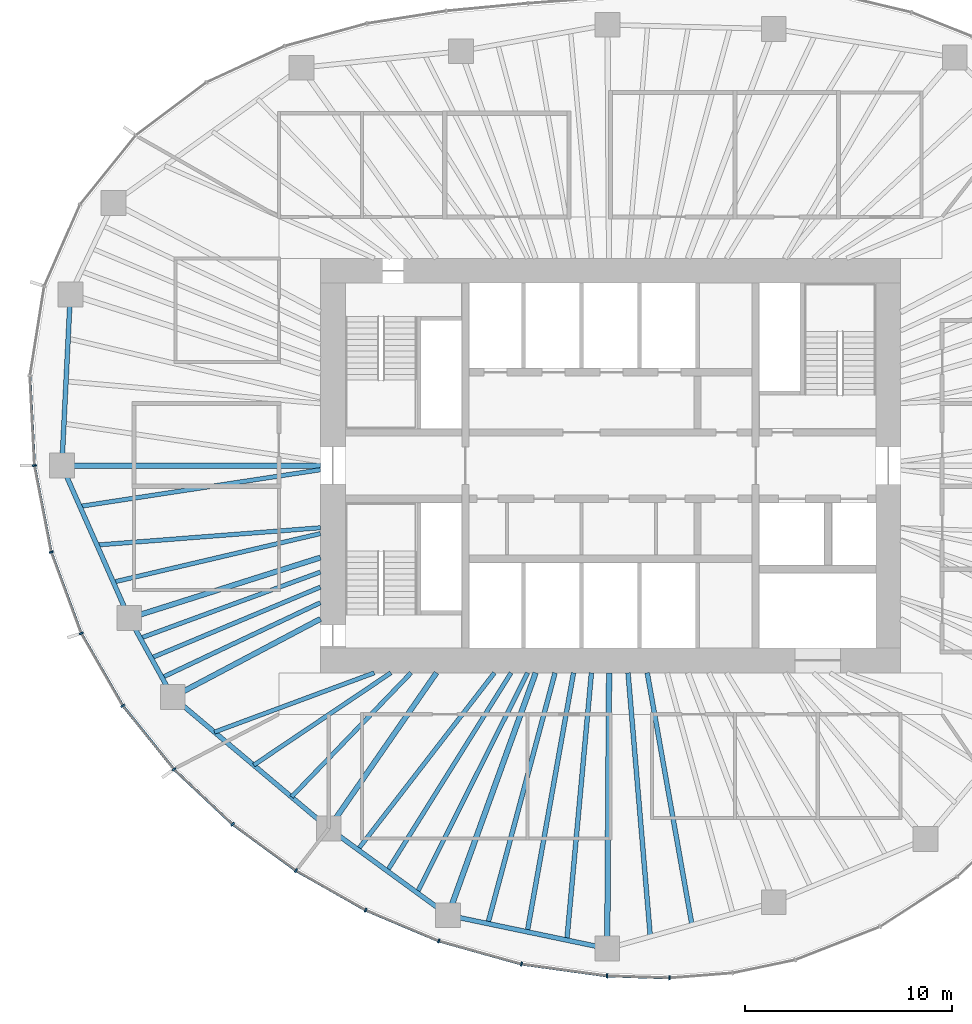
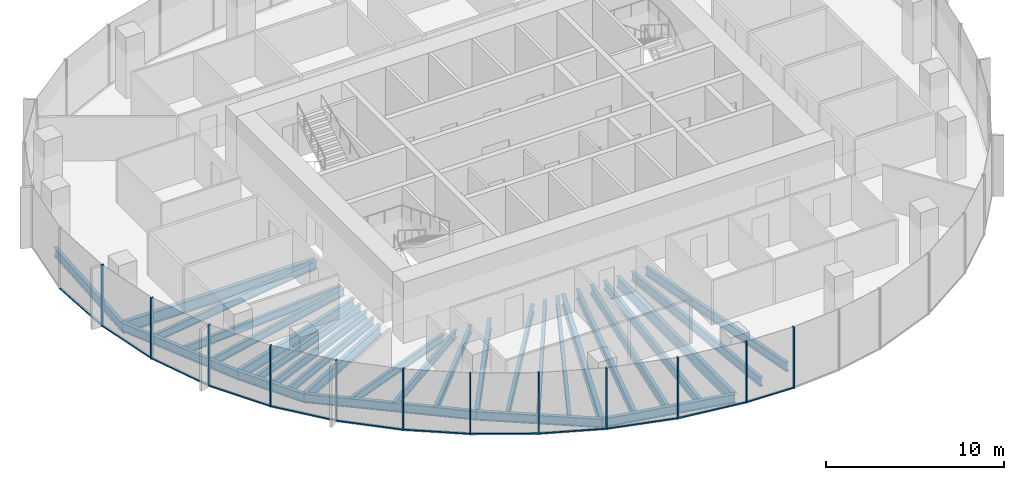
# One storey, part 2 of 12: 29 beams, 24 members, 7 elements without a shape of their own.
"""IFC4 building model written with IfcOpenShell, lengths in metres."""

from ifc_helpers import new_model, si_unit, direction, frame, origin, origin_2d, place, context, subcontext, project, spatial, rectangle, i_section, extrude, material, material_profile, profile_set, type_object, element, aggregate, save


model = new_model("IFC4")

# Units and contexts
model_context = context("Model", 3, precision=1e-05, world=origin(), true_north=direction((0.0, 1.0)))
body_context = subcontext(model_context, "Body", "Model", "MODEL_VIEW")
ifc_project = project(units=[si_unit("LENGTHUNIT", "METRE"), si_unit("AREAUNIT", "SQUARE_METRE"), si_unit("VOLUMEUNIT", "CUBIC_METRE"), si_unit("PLANEANGLEUNIT", "RADIAN"), si_unit("MASSUNIT", "GRAM", prefix="KILO")], contexts=[model_context])

# Site, building, storey
site_placement = place(None, origin())
site = spatial("IfcSite", under=ifc_project, at=site_placement, CompositionType="ELEMENT")
building_placement = place(site_placement, origin())
building = spatial("IfcBuilding", under=site, at=building_placement, Name="Ghaith Harvest Tower", CompositionType="ELEMENT")
storey_placement = place(building_placement, frame((0.0, 0.0, 232.60009765625)))
storey = spatial("IfcBuildingStorey", under=building, at=storey_placement, Name="L51", CompositionType="ELEMENT", Elevation=232.60009765625)

# Curtain wall, members
ifc_material_1 = material(Name="Black anodised aluminium and fritted glass", Category="aluminium")
curtain_wall_type = type_object("IfcCurtainWallType", Name="CW-H CURTAIN WALL", PredefinedType="NOTDEFINED", material=ifc_material_1)
curtain_wall_1_placement = place(storey_placement, origin())
curtain_wall_1 = element("IfcCurtainWall", 1, at=curtain_wall_1_placement, inside=storey, type_object=curtain_wall_type, Name="Curtain wall CW-H bay 11 L51", PredefinedType="NOTDEFINED")
ifc_material_2 = material(Name="Aluminium, black anodised", Category="aluminium")
ifc_material_profile_1 = material_profile(ifc_material_2, rectangle(XDim=0.080078125, YDim=0.199951171875, at=origin_2d()), Name="CW-H MULLION 80x200")
ifc_profile_set_1 = profile_set([ifc_material_profile_1], Name="Aluminium, black anodised")
member_type_1 = type_object("IfcMemberType", Name="CW-H MULLION 80x200", PredefinedType="MULLION", material=ifc_profile_set_1)
member_1_placement = place(storey_placement, frame((-27.794921875, 0.0, 0.0), z_axis=(0.0, 0.0, 1.0), x_axis=(0.12024996575, -0.992743645528, 0.0)))
member_1 = element("IfcMember", 2, at=member_1_placement, type_object=member_type_1, Name="CW-H mullion 1 bay 11 L51", PredefinedType="MULLION", context=body_context, shape_type="SweptSolid", body=[
    extrude(rectangle(XDim=0.080078125, YDim=0.199951171875, at=origin_2d()), origin(), (0.0, 0.0, 1.0), 4.199951171875),
])
member_2_placement = place(storey_placement, frame((-26.9853515625, -4.173828125, 0.0), z_axis=(0.0, 0.0, 1.0), x_axis=(0.268568830903, -0.963260495955, 0.0)))
member_2 = element("IfcMember", 3, at=member_2_placement, type_object=member_type_1, Name="CW-H mullion 2 bay 11 L51", PredefinedType="MULLION", context=body_context, shape_type="SweptSolid", body=[
    extrude(rectangle(XDim=0.080078125, YDim=0.199951171875, at=origin_2d()), origin(), (0.0, 0.0, 1.0), 4.199951171875),
])

curtain_wall_2_placement = place(storey_placement, origin())
curtain_wall_2 = element("IfcCurtainWall", 4, at=curtain_wall_2_placement, inside=storey, type_object=curtain_wall_type, Name="Curtain wall CW-H bay 12 L51", PredefinedType="NOTDEFINED")
member_3_placement = place(storey_placement, frame((-25.538330078125, -8.093505859375, 0.0), z_axis=(0.0, 0.0, 1.0), x_axis=(0.422308650185, -0.906452096903, 0.0)))
member_3 = element("IfcMember", 5, at=member_3_placement, type_object=member_type_1, Name="CW-H mullion 1 bay 12 L51", PredefinedType="MULLION", context=body_context, shape_type="SweptSolid", body=[
    extrude(rectangle(XDim=0.080078125, YDim=0.199951171875, at=origin_2d()), origin(), (0.0, 0.0, 1.0), 4.199951171875),
])
member_4_placement = place(storey_placement, frame((-23.533203125, -11.58349609375, 0.0), z_axis=(0.0, 0.0, 1.0), x_axis=(0.563616546013, -0.826036554312, 0.0)))
member_4 = element("IfcMember", 6, at=member_4_placement, type_object=member_type_1, Name="CW-H mullion 2 bay 12 L51", PredefinedType="MULLION", context=body_context, shape_type="SweptSolid", body=[
    extrude(rectangle(XDim=0.080078125, YDim=0.199951171875, at=origin_2d()), origin(), (0.0, 0.0, 1.0), 4.199951171875),
])

curtain_wall_3_placement = place(storey_placement, origin())
curtain_wall_3 = element("IfcCurtainWall", 7, at=curtain_wall_3_placement, inside=storey, type_object=curtain_wall_type, Name="Curtain wall CW-H bay 13 L51", PredefinedType="NOTDEFINED")
member_5_placement = place(storey_placement, frame((-21.0615234375, -14.65478515625, 0.0), z_axis=(0.0, 0.0, 1.0), x_axis=(0.679181589754, -0.733970277422, 0.0)))
member_5 = element("IfcMember", 8, at=member_5_placement, type_object=member_type_1, Name="CW-H mullion 1 bay 13 L51", PredefinedType="MULLION", context=body_context, shape_type="SweptSolid", body=[
    extrude(rectangle(XDim=0.080078125, YDim=0.199951171875, at=origin_2d()), origin(), (0.0, 0.0, 1.0), 4.199951171875),
])
member_6_placement = place(storey_placement, frame((-18.238037109375, -17.30615234375, 0.0), z_axis=(0.0, 0.0, 1.0), x_axis=(0.769216709506, -0.638987991919, 0.0)))
member_6 = element("IfcMember", 9, at=member_6_placement, type_object=member_type_1, Name="CW-H mullion 2 bay 13 L51", PredefinedType="MULLION", context=body_context, shape_type="SweptSolid", body=[
    extrude(rectangle(XDim=0.080078125, YDim=0.199951171875, at=origin_2d()), origin(), (0.0, 0.0, 1.0), 4.199951171875),
])

curtain_wall_4_placement = place(storey_placement, origin())
curtain_wall_4 = element("IfcCurtainWall", 10, at=curtain_wall_4_placement, inside=storey, type_object=curtain_wall_type, Name="Curtain wall CW-H bay 14 L51", PredefinedType="NOTDEFINED")
member_7_placement = place(storey_placement, frame((-15.177490234375, -19.542724609375, 0.0), z_axis=(0.0, 0.0, 1.0), x_axis=(0.840233591157, -0.5422245958, 0.0)))
member_7 = element("IfcMember", 11, at=member_7_placement, type_object=member_type_1, Name="CW-H mullion 1 bay 14 L51", PredefinedType="MULLION", context=body_context, shape_type="SweptSolid", body=[
    extrude(rectangle(XDim=0.080078125, YDim=0.199951171875, at=origin_2d()), origin(), (0.0, 0.0, 1.0), 4.199951171875),
])
member_8_placement = place(storey_placement, frame((-11.815185546875, -21.45068359375, 0.0), z_axis=(0.0, 0.0, 1.0), x_axis=(0.896852966189, -0.442328788389, 0.0)))
member_8 = element("IfcMember", 12, at=member_8_placement, type_object=member_type_1, Name="CW-H mullion 2 bay 14 L51", PredefinedType="MULLION", context=body_context, shape_type="SweptSolid", body=[
    extrude(rectangle(XDim=0.080078125, YDim=0.199951171875, at=origin_2d()), origin(), (0.0, 0.0, 1.0), 4.199951171875),
])

curtain_wall_5_placement = place(storey_placement, origin())
curtain_wall_5 = element("IfcCurtainWall", 13, at=curtain_wall_5_placement, inside=storey, type_object=curtain_wall_type, Name="Curtain wall CW-H bay 15 L51", PredefinedType="NOTDEFINED")
member_9_placement = place(storey_placement, frame((-8.285888671875, -22.941650390625, 0.0), z_axis=(0.0, 0.0, 1.0), x_axis=(0.944906041636, -0.327341675439, 0.0)))
member_9 = element("IfcMember", 14, at=member_9_placement, type_object=member_type_1, Name="CW-H mullion 1 bay 15 L51", PredefinedType="MULLION", context=body_context, shape_type="SweptSolid", body=[
    extrude(rectangle(XDim=0.080078125, YDim=0.199951171875, at=origin_2d()), origin(), (0.0, 0.0, 1.0), 4.199951171875),
])
member_10_placement = place(storey_placement, frame((-4.2958984375, -24.0556640625, 0.0), z_axis=(0.0, 0.0, 1.0), x_axis=(0.979161388311, -0.203083666601, 0.0)))
member_10 = element("IfcMember", 15, at=member_10_placement, type_object=member_type_1, Name="CW-H mullion 2 bay 15 L51", PredefinedType="MULLION", context=body_context, shape_type="SweptSolid", body=[
    extrude(rectangle(XDim=0.080078125, YDim=0.199951171875, at=origin_2d()), origin(), (0.0, 0.0, 1.0), 4.199951171875),
])

curtain_wall_6_placement = place(storey_placement, origin())
curtain_wall_6 = element("IfcCurtainWall", 16, at=curtain_wall_6_placement, inside=storey, type_object=curtain_wall_type, Name="Curtain wall CW-H bay 16 L51", PredefinedType="NOTDEFINED")
member_11_placement = place(storey_placement, frame((-0.16845703125, -24.625244140625, 0.0), z_axis=(0.0, 0.0, 1.0), x_axis=(0.99568459113, -0.092801912617, 0.0)))
member_11 = element("IfcMember", 17, at=member_11_placement, type_object=member_type_1, Name="CW-H mullion 1 bay 16 L51", PredefinedType="MULLION", context=body_context, shape_type="SweptSolid", body=[
    extrude(rectangle(XDim=0.080078125, YDim=0.199951171875, at=origin_2d()), origin(), (0.0, 0.0, 1.0), 4.199951171875),
])
member_12_placement = place(storey_placement, frame((2.84765625, -24.721435546875, 0.0), z_axis=(0.0, 0.0, 1.0), x_axis=(0.999724413906, 0.02347543907, 0.0)))
member_12 = element("IfcMember", 18, at=member_12_placement, type_object=member_type_1, Name="CW-H mullion 2 bay 16 L51", PredefinedType="MULLION", context=body_context, shape_type="SweptSolid", body=[
    extrude(rectangle(XDim=0.080078125, YDim=0.199951171875, at=origin_2d()), origin(), (0.0, 0.0, 1.0), 4.199951171875),
])

# Curtain wall, member
curtain_wall_7_placement = place(storey_placement, origin())
curtain_wall_7 = element("IfcCurtainWall", 19, at=curtain_wall_7_placement, inside=storey, type_object=curtain_wall_type, Name="Curtain wall CW-H bay 10 L51", PredefinedType="NOTDEFINED")
ifc_material_3 = material(Name="Aluminium, black anodised", Category="aluminium")
ifc_material_profile_2 = material_profile(ifc_material_3, rectangle(XDim=0.1298828125, YDim=0.080078125, at=origin_2d()), Name="CW-H TRANSOM 130x80")
ifc_profile_set_2 = profile_set([ifc_material_profile_2], Name="Aluminium, black anodised")
member_type_2 = type_object("IfcMemberType", Name="CW-H TRANSOM 130x80", PredefinedType="USERDEFINED", material=ifc_profile_set_2)
member_13_placement = place(storey_placement, frame((-28.013671875, 4.293212890625, 0.039794921875), z_axis=(0.05084969311, -0.998706317548, 0.0), x_axis=(0.998706317548, 0.05084969311, 0.0)))
member_13 = element("IfcMember", 20, at=member_13_placement, type_object=member_type_2, Name="CW-H transom 2 bay 10 L51", ObjectType="TRANSOM", PredefinedType="USERDEFINED", context=body_context, shape_type="SweptSolid", body=[
    extrude(rectangle(XDim=0.1298828125, YDim=0.080078125, at=origin_2d()), origin(), (0.0, 0.0, 1.0), 4.2587890625),
])
aggregate(curtain_wall_7, [member_13])

# Member
member_14_placement = place(storey_placement, frame((-27.787353515625, -0.039306640625, 0.039794921875), z_axis=(0.190440428338, -0.981698753821, 0.0), x_axis=(0.981698753821, 0.190440428338, 0.0)))
member_14 = element("IfcMember", 21, at=member_14_placement, type_object=member_type_2, Name="CW-H transom 1 bay 11 L51", ObjectType="TRANSOM", PredefinedType="USERDEFINED", context=body_context, shape_type="SweptSolid", body=[
    extrude(rectangle(XDim=0.1298828125, YDim=0.080078125, at=origin_2d()), origin(), (0.0, 0.0, 1.0), 4.171630859375),
])

member_15_placement = place(storey_placement, frame((-26.971435546875, -4.21142578125, 0.039794921875), z_axis=(0.346287782987, -0.93812833416, 0.0), x_axis=(0.93812833416, 0.346287782987, 0.0)))
member_15 = element("IfcMember", 22, at=member_15_placement, type_object=member_type_2, Name="CW-H transom 2 bay 11 L51", ObjectType="TRANSOM", PredefinedType="USERDEFINED", context=body_context, shape_type="SweptSolid", body=[
    extrude(rectangle(XDim=0.1298828125, YDim=0.080078125, at=origin_2d()), origin(), (0.0, 0.0, 1.0), 4.098388671875),
])

aggregate(curtain_wall_1, [member_1, member_14, member_2, member_15])

member_16_placement = place(storey_placement, frame((-25.5185546875, -8.128173828125, 0.039794921875), z_axis=(0.498176929488, -0.86707539864, 0.0), x_axis=(0.86707539864, 0.498176929488, 0.0)))
member_16 = element("IfcMember", 23, at=member_16_placement, type_object=member_type_2, Name="CW-H transom 1 bay 12 L51", ObjectType="TRANSOM", PredefinedType="USERDEFINED", context=body_context, shape_type="SweptSolid", body=[
    extrude(rectangle(XDim=0.1298828125, YDim=0.080078125, at=origin_2d()), origin(), (0.0, 0.0, 1.0), 3.945068359375),
])

member_17_placement = place(storey_placement, frame((-23.508056640625, -11.61474609375, 0.039794921875), z_axis=(0.626958878139, -0.779052350694, 0.0), x_axis=(0.779052350694, 0.626958878139, 0.0)))
member_17 = element("IfcMember", 24, at=member_17_placement, type_object=member_type_2, Name="CW-H transom 2 bay 12 L51", ObjectType="TRANSOM", PredefinedType="USERDEFINED", context=body_context, shape_type="SweptSolid", body=[
    extrude(rectangle(XDim=0.1298828125, YDim=0.080078125, at=origin_2d()), origin(), (0.0, 0.0, 1.0), 3.862060546875),
])

aggregate(curtain_wall_2, [member_3, member_16, member_4, member_17])

member_18_placement = place(storey_placement, frame((-21.032470703125, -14.68212890625, 0.039794921875), z_axis=(0.729025183709, -0.684486874613, 0.0), x_axis=(0.684486874613, 0.729025183709, 0.0)))
member_18 = element("IfcMember", 25, at=member_18_placement, type_object=member_type_2, Name="CW-H transom 1 bay 13 L51", ObjectType="TRANSOM", PredefinedType="USERDEFINED", context=body_context, shape_type="SweptSolid", body=[
    extrude(rectangle(XDim=0.1298828125, YDim=0.080078125, at=origin_2d()), origin(), (0.0, 0.0, 1.0), 3.793212890625),
])

member_19_placement = place(storey_placement, frame((-18.20556640625, -17.32958984375, 0.039794921875), z_axis=(0.807368217185, -0.590047931849, 0.0), x_axis=(0.590047931849, 0.807368217185, 0.0)))
member_19 = element("IfcMember", 26, at=member_19_placement, type_object=member_type_2, Name="CW-H transom 2 bay 13 L51", ObjectType="TRANSOM", PredefinedType="USERDEFINED", context=body_context, shape_type="SweptSolid", body=[
    extrude(rectangle(XDim=0.1298828125, YDim=0.080078125, at=origin_2d()), origin(), (0.0, 0.0, 1.0), 3.710693359375),
])

aggregate(curtain_wall_3, [member_5, member_18, member_6, member_19])

member_20_placement = place(storey_placement, frame((-15.142822265625, -19.5625, 0.039794921875), z_axis=(0.869735291487, -0.493518513068, 0.0), x_axis=(0.493518513068, 0.869735291487, 0.0)))
member_20 = element("IfcMember", 27, at=member_20_placement, type_object=member_type_2, Name="CW-H transom 1 bay 14 L51", ObjectType="TRANSOM", PredefinedType="USERDEFINED", context=body_context, shape_type="SweptSolid", body=[
    extrude(rectangle(XDim=0.1298828125, YDim=0.080078125, at=origin_2d()), origin(), (0.0, 0.0, 1.0), 3.785888671875),
])

member_21_placement = place(storey_placement, frame((-11.7783203125, -21.46630859375, 0.039794921875), z_axis=(0.921182691948, -0.38913037411, 0.0), x_axis=(0.38913037411, 0.921182691948, 0.0)))
member_21 = element("IfcMember", 28, at=member_21_placement, type_object=member_type_2, Name="CW-H transom 2 bay 14 L51", ObjectType="TRANSOM", PredefinedType="USERDEFINED", context=body_context, shape_type="SweptSolid", body=[
    extrude(rectangle(XDim=0.1298828125, YDim=0.080078125, at=origin_2d()), origin(), (0.0, 0.0, 1.0), 3.751220703125),
])

aggregate(curtain_wall_4, [member_7, member_20, member_8, member_21])

member_22_placement = place(storey_placement, frame((-8.24755859375, -22.952392578125, 0.039794921875), z_axis=(0.963164092269, -0.268914356932, 0.0), x_axis=(0.268914356932, 0.963164092269, 0.0)))
member_22 = element("IfcMember", 29, at=member_22_placement, type_object=member_type_2, Name="CW-H transom 1 bay 15 L51", ObjectType="TRANSOM", PredefinedType="USERDEFINED", context=body_context, shape_type="SweptSolid", body=[
    extrude(rectangle(XDim=0.1298828125, YDim=0.080078125, at=origin_2d()), origin(), (0.0, 0.0, 1.0), 4.062744140625),
])

member_23_placement = place(storey_placement, frame((-4.25634765625, -24.06103515625, 0.039794921875), z_axis=(0.990605228149, -0.136752630555, 0.0), x_axis=(0.136752630555, 0.990605228149, 0.0)))
member_23 = element("IfcMember", 30, at=member_23_placement, type_object=member_type_2, Name="CW-H transom 2 bay 15 L51", ObjectType="TRANSOM", PredefinedType="USERDEFINED", context=body_context, shape_type="SweptSolid", body=[
    extrude(rectangle(XDim=0.1298828125, YDim=0.080078125, at=origin_2d()), origin(), (0.0, 0.0, 1.0), 4.08642578125),
])

aggregate(curtain_wall_5, [member_9, member_22, member_10, member_23])

member_24_placement = place(storey_placement, frame((-0.128662109375, -24.62646484375, 0.039794921875), z_axis=(0.999490770233, -0.031909249731, 0.0), x_axis=(0.031909249731, 0.999490770233, 0.0)))
member_24 = element("IfcMember", 31, at=member_24_placement, type_object=member_type_2, Name="CW-H transom 1 bay 16 L51", ObjectType="TRANSOM", PredefinedType="USERDEFINED", context=body_context, shape_type="SweptSolid", body=[
    extrude(rectangle(XDim=0.1298828125, YDim=0.080078125, at=origin_2d()), origin(), (0.0, 0.0, 1.0), 2.93798828125),
])

aggregate(curtain_wall_6, [member_11, member_24, member_12])

# Beams
ifc_material_4 = material(Name="Steel ASTM A992 Grade 50", Category="steel")
ifc_material_profile_3 = material_profile(ifc_material_4, i_section(OverallWidth=0.22900390625, OverallDepth=0.612060546875, WebThickness=0.011962890625, FlangeThickness=0.01953125, at=origin_2d()), Name="W610X125")
ifc_profile_set_3 = profile_set([ifc_material_profile_3], Name="Steel ASTM A992 Grade 50")
beam_type_1 = type_object("IfcBeamType", Name="E610-125 W610X125", PredefinedType="SPANDREL", material=ifc_profile_set_3)
beam_1_placement = place(storey_placement, frame((-26.06689453125, 8.260986328125, -0.47607421875), z_axis=(-0.049353148492, -0.998781390863, 0.0), x_axis=(0.998781390863, -0.049353148492, 0.0)))
element("IfcBeam", 32, at=beam_1_placement, inside=storey, type_object=beam_type_1, Name="Edge beam E10 L51", PredefinedType="SPANDREL", context=body_context, shape_type="SweptSolid", body=[
    extrude(i_section(OverallWidth=0.22900390625, OverallDepth=0.612060546875, WebThickness=0.011962890625, FlangeThickness=0.01953125, at=origin_2d()), origin(), (0.0, 0.0, 1.0), 8.27099609375),
])
beam_2_placement = place(storey_placement, frame((-26.47509765625, 0.0, -0.47607421875), z_axis=(0.404042817399, -0.914740073304, 0.0), x_axis=(0.914740073304, 0.404042817399, 0.0)))
element("IfcBeam", 33, at=beam_2_placement, inside=storey, type_object=beam_type_1, Name="Edge beam E11 L51", PredefinedType="SPANDREL", context=body_context, shape_type="SweptSolid", body=[
    extrude(i_section(OverallWidth=0.22900390625, OverallDepth=0.612060546875, WebThickness=0.011962890625, FlangeThickness=0.01953125, at=origin_2d()), origin(), (0.0, 0.0, 1.0), 8.046142578125),
])
beam_3_placement = place(storey_placement, frame((-23.22412109375, -7.360107421875, -0.47607421875), z_axis=(0.482955575345, -0.875644855089, 0.0), x_axis=(0.875644855089, 0.482955575345, 0.0)))
element("IfcBeam", 34, at=beam_3_placement, inside=storey, type_object=beam_type_1, Name="Edge beam E12 L51", PredefinedType="SPANDREL", context=body_context, shape_type="SweptSolid", body=[
    extrude(i_section(OverallWidth=0.22900390625, OverallDepth=0.612060546875, WebThickness=0.011962890625, FlangeThickness=0.01953125, at=origin_2d()), origin(), (0.0, 0.0, 1.0), 4.346435546875),
])
beam_4_placement = place(storey_placement, frame((-21.125, -11.166015625, -0.47607421875), z_axis=(0.765021818761, -0.64400436087, 0.0), x_axis=(0.64400436087, 0.765021818761, 0.0)))
element("IfcBeam", 35, at=beam_4_placement, inside=storey, type_object=beam_type_1, Name="Edge beam E13 L51", PredefinedType="SPANDREL", context=body_context, shape_type="SweptSolid", body=[
    extrude(i_section(OverallWidth=0.22900390625, OverallDepth=0.612060546875, WebThickness=0.011962890625, FlangeThickness=0.01953125, at=origin_2d()), origin(), (0.0, 0.0, 1.0), 9.8427734375),
])
beam_5_placement = place(storey_placement, frame((-13.594970703125, -17.5048828125, -0.47607421875), z_axis=(0.808194782503, -0.588915268553, 0.0), x_axis=(0.588915268553, 0.808194782503, 0.0)))
element("IfcBeam", 36, at=beam_5_placement, inside=storey, type_object=beam_type_1, Name="Edge beam E14 L51", PredefinedType="SPANDREL", context=body_context, shape_type="SweptSolid", body=[
    extrude(i_section(OverallWidth=0.22900390625, OverallDepth=0.612060546875, WebThickness=0.011962890625, FlangeThickness=0.01953125, at=origin_2d()), origin(), (0.0, 0.0, 1.0), 7.123291015625),
])
beam_6_placement = place(storey_placement, frame((-7.837890625, -21.699951171875, -0.47607421875), z_axis=(0.978847910797, -0.20458926543, 0.0), x_axis=(0.20458926543, 0.978847910797, 0.0)))
element("IfcBeam", 37, at=beam_6_placement, inside=storey, type_object=beam_type_1, Name="Edge beam E15 L51", PredefinedType="SPANDREL", context=body_context, shape_type="SweptSolid", body=[
    extrude(i_section(OverallWidth=0.22900390625, OverallDepth=0.612060546875, WebThickness=0.011962890625, FlangeThickness=0.01953125, at=origin_2d()), origin(), (0.0, 0.0, 1.0), 7.844970703125),
])
ifc_material_5 = material(Name="Steel ASTM A992 Grade 50", Category="steel")
ifc_material_profile_4 = material_profile(ifc_material_5, i_section(OverallWidth=0.256103515625, OverallDepth=0.693115234375, WebThickness=0.014404296875, FlangeThickness=0.023681640625, at=origin_2d()), Name="W690X170")
ifc_profile_set_4 = profile_set([ifc_material_profile_4], Name="Steel ASTM A992 Grade 50")
beam_type_2 = type_object("IfcBeamType", Name="G690-170 W690X170", PredefinedType="BEAM", material=ifc_profile_set_4)
beam_7_placement = place(storey_placement, frame((-14.0, -4.43701171875, -0.5166015625), z_axis=(-0.953279028151, -0.302091202267, 0.0), x_axis=(0.302091202267, -0.953279028151, 0.0)))
element("IfcBeam", 38, at=beam_7_placement, inside=storey, type_object=beam_type_2, Name="Radial girder G12 L51", PredefinedType="BEAM", context=body_context, shape_type="SweptSolid", body=[
    extrude(i_section(OverallWidth=0.256103515625, OverallDepth=0.693115234375, WebThickness=0.014404296875, FlangeThickness=0.023681640625, at=origin_2d()), origin(), (0.0, 0.0, 1.0), 9.67626953125),
])
beam_8_placement = place(storey_placement, frame((-14.0, -7.39990234375, -0.5166015625), z_axis=(-0.88409279474, -0.46731138472, 0.0), x_axis=(0.46731138472, -0.88409279474, 0.0)))
element("IfcBeam", 39, at=beam_8_placement, inside=storey, type_object=beam_type_2, Name="Radial girder G13 L51", PredefinedType="BEAM", context=body_context, shape_type="SweptSolid", body=[
    extrude(i_section(OverallWidth=0.256103515625, OverallDepth=0.693115234375, WebThickness=0.014404296875, FlangeThickness=0.023681640625, at=origin_2d()), origin(), (0.0, 0.0, 1.0), 8.05908203125),
])
beam_9_placement = place(storey_placement, frame((-8.39990234375, -10.0, -0.5166015625), z_axis=(-0.569164078909, -0.822223966617, 0.0), x_axis=(0.822223966617, -0.569164078909, 0.0)))
element("IfcBeam", 40, at=beam_9_placement, inside=storey, type_object=beam_type_2, Name="Radial girder G14 L51", PredefinedType="BEAM", context=body_context, shape_type="SweptSolid", body=[
    extrude(i_section(OverallWidth=0.256103515625, OverallDepth=0.693115234375, WebThickness=0.014404296875, FlangeThickness=0.023681640625, at=origin_2d()), origin(), (0.0, 0.0, 1.0), 9.12744140625),
])
ifc_material_6 = material(Name="Steel ASTM A992 Grade 50", Category="steel")
ifc_material_profile_5 = material_profile(ifc_material_6, i_section(OverallWidth=0.26806640625, OverallDepth=0.77001953125, WebThickness=0.015625, FlangeThickness=0.025390625, at=origin_2d()), Name="W760X196")
ifc_profile_set_5 = profile_set([ifc_material_profile_5], Name="Steel ASTM A992 Grade 50")
beam_type_3 = type_object("IfcBeamType", Name="G760-196 W760X196", PredefinedType="BEAM", material=ifc_profile_set_5)
beam_10_placement = place(storey_placement, frame((-14.0, 0.0, -0.55517578125), z_axis=(-1.0, 0.0, 0.0), x_axis=(0.0, -1.0, 0.0)))
element("IfcBeam", 41, at=beam_10_placement, inside=storey, type_object=beam_type_3, Name="Radial girder G11 L51", PredefinedType="BEAM", context=body_context, shape_type="SweptSolid", body=[
    extrude(i_section(OverallWidth=0.26806640625, OverallDepth=0.77001953125, WebThickness=0.015625, FlangeThickness=0.025390625, at=origin_2d()), origin(), (0.0, 0.0, 1.0), 12.47509765625),
])
beam_11_placement = place(storey_placement, frame((-3.61181640625, -10.0, -0.55517578125), z_axis=(-0.339722108335, -0.940525857756, 0.0), x_axis=(0.940525857756, -0.339722108335, 0.0)))
element("IfcBeam", 42, at=beam_11_placement, inside=storey, type_object=beam_type_3, Name="Radial girder G15 L51", PredefinedType="BEAM", context=body_context, shape_type="SweptSolid", body=[
    extrude(i_section(OverallWidth=0.26806640625, OverallDepth=0.77001953125, WebThickness=0.015625, FlangeThickness=0.025390625, at=origin_2d()), origin(), (0.0, 0.0, 1.0), 12.439697265625),
])
beam_12_placement = place(storey_placement, frame((-0.068359375, -10.0, -0.55517578125), z_axis=(-0.00680755644, -0.999976828319, 0.0), x_axis=(0.999976828319, -0.00680755644, 0.0)))
element("IfcBeam", 43, at=beam_12_placement, inside=storey, type_object=beam_type_3, Name="Radial girder G16 L51", PredefinedType="BEAM", context=body_context, shape_type="SweptSolid", body=[
    extrude(i_section(OverallWidth=0.26806640625, OverallDepth=0.77001953125, WebThickness=0.015625, FlangeThickness=0.025390625, at=origin_2d()), origin(), (0.0, 0.0, 1.0), 13.30517578125),
])
ifc_material_7 = material(Name="Steel ASTM A992 Grade 50", Category="steel")
ifc_material_profile_6 = material_profile(ifc_material_7, i_section(OverallWidth=0.2109375, OverallDepth=0.5390625, WebThickness=0.01171875, FlangeThickness=0.018798828125, at=origin_2d()), Name="W530X109")
ifc_profile_set_6 = profile_set([ifc_material_profile_6], Name="Steel ASTM A992 Grade 50")
beam_type_4 = type_object("IfcBeamType", Name="J530-109 W530X109", PredefinedType="JOIST", material=ifc_profile_set_6)
beam_13_placement = place(storey_placement, frame((-14.0, -0.199951171875, -0.439697265625), z_axis=(-0.988587077715, -0.150650555178, 0.0), x_axis=(0.150650555178, -0.988587077715, 0.0)))
element("IfcBeam", 44, at=beam_13_placement, inside=storey, type_object=beam_type_4, Name="Joist J11.1 L51", PredefinedType="JOIST", context=body_context, shape_type="SweptSolid", body=[
    extrude(i_section(OverallWidth=0.2109375, OverallDepth=0.5390625, WebThickness=0.01171875, FlangeThickness=0.018798828125, at=origin_2d()), origin(), (0.0, 0.0, 1.0), 11.739501953125),
])
beam_14_placement = place(storey_placement, frame((-14.0, -3.0, -0.439697265625), z_axis=(-0.997028799301, -0.077029691443, 0.0), x_axis=(0.077029691443, -0.997028799301, 0.0)))
element("IfcBeam", 45, at=beam_14_placement, inside=storey, type_object=beam_type_4, Name="Joist J11.2 L51", PredefinedType="JOIST", context=body_context, shape_type="SweptSolid", body=[
    extrude(i_section(OverallWidth=0.2109375, OverallDepth=0.5390625, WebThickness=0.01171875, FlangeThickness=0.018798828125, at=origin_2d()), origin(), (0.0, 0.0, 1.0), 10.814208984375),
])
beam_15_placement = place(storey_placement, frame((-14.0, -3.280517578125, -0.439697265625), z_axis=(-0.97362176086, -0.22816806696, 0.0), x_axis=(0.22816806696, -0.97362176086, 0.0)))
element("IfcBeam", 46, at=beam_15_placement, inside=storey, type_object=beam_type_4, Name="Joist J11.3 L51", PredefinedType="JOIST", context=body_context, shape_type="SweptSolid", body=[
    extrude(i_section(OverallWidth=0.2109375, OverallDepth=0.5390625, WebThickness=0.01171875, FlangeThickness=0.018798828125, at=origin_2d()), origin(), (0.0, 0.0, 1.0), 10.262451171875),
])
beam_16_placement = place(storey_placement, frame((-5.60009765625, -10.0, -0.439697265625), z_axis=(-0.611412687895, -0.791311901264, 0.0), x_axis=(0.791311901264, -0.611412687895, 0.0)))
element("IfcBeam", 47, at=beam_16_placement, inside=storey, type_object=beam_type_4, Name="Joist J14.1 L51", PredefinedType="JOIST", context=body_context, shape_type="SweptSolid", body=[
    extrude(i_section(OverallWidth=0.2109375, OverallDepth=0.5390625, WebThickness=0.01171875, FlangeThickness=0.018798828125, at=origin_2d()), origin(), (0.0, 0.0, 1.0), 10.778076171875),
])
beam_17_placement = place(storey_placement, frame((-4.800048828125, -10.0, -0.439697265625), z_axis=(-0.529921073682, -0.848046965484, 0.0), x_axis=(0.848046965484, -0.529921073682, 0.0)))
element("IfcBeam", 48, at=beam_17_placement, inside=storey, type_object=beam_type_4, Name="Joist J14.2 L51", PredefinedType="JOIST", context=body_context, shape_type="SweptSolid", body=[
    extrude(i_section(OverallWidth=0.2109375, OverallDepth=0.5390625, WebThickness=0.01171875, FlangeThickness=0.018798828125, at=origin_2d()), origin(), (0.0, 0.0, 1.0), 11.273681640625),
])
beam_18_placement = place(storey_placement, frame((-4.0, -10.0, -0.439697265625), z_axis=(-0.448791718068, -0.893636387908, 0.0), x_axis=(0.893636387908, -0.448791718068, 0.0)))
element("IfcBeam", 49, at=beam_18_placement, inside=storey, type_object=beam_type_4, Name="Joist J14.3 L51", PredefinedType="JOIST", context=body_context, shape_type="SweptSolid", body=[
    extrude(i_section(OverallWidth=0.2109375, OverallDepth=0.5390625, WebThickness=0.01171875, FlangeThickness=0.018798828125, at=origin_2d()), origin(), (0.0, 0.0, 1.0), 11.8759765625),
])
ifc_material_8 = material(Name="Steel ASTM A992 Grade 50", Category="steel")
ifc_material_profile_7 = material_profile(ifc_material_8, i_section(OverallWidth=0.208984375, OverallDepth=0.532958984375, WebThickness=0.01025390625, FlangeThickness=0.015625, at=origin_2d()), Name="W530X92")
ifc_profile_set_7 = profile_set([ifc_material_profile_7], Name="Steel ASTM A992 Grade 50")
beam_type_5 = type_object("IfcBeamType", Name="J530-92 W530X92", PredefinedType="JOIST", material=ifc_profile_set_7)
beam_19_placement = place(storey_placement, frame((-14.0, -5.137939453125, -0.4365234375), z_axis=(-0.93877284801, -0.34453670318, 0.0), x_axis=(0.34453670318, -0.93877284801, 0.0)))
element("IfcBeam", 50, at=beam_19_placement, inside=storey, type_object=beam_type_5, Name="Joist J12.1 L51", PredefinedType="JOIST", context=body_context, shape_type="SweptSolid", body=[
    extrude(i_section(OverallWidth=0.208984375, OverallDepth=0.532958984375, WebThickness=0.01025390625, FlangeThickness=0.015625, at=origin_2d()), origin(), (0.0, 0.0, 1.0), 9.25732421875),
])
beam_20_placement = place(storey_placement, frame((-14.0, -5.862548828125, -0.4365234375), z_axis=(-0.922387515293, -0.386265804377, 0.0), x_axis=(0.386265804377, -0.922387515293, 0.0)))
element("IfcBeam", 51, at=beam_20_placement, inside=storey, type_object=beam_type_5, Name="Joist J12.2 L51", PredefinedType="JOIST", context=body_context, shape_type="SweptSolid", body=[
    extrude(i_section(OverallWidth=0.208984375, OverallDepth=0.532958984375, WebThickness=0.01025390625, FlangeThickness=0.015625, at=origin_2d()), origin(), (0.0, 0.0, 1.0), 8.851318359375),
])
beam_21_placement = place(storey_placement, frame((-14.0, -6.614990234375, -0.4365234375), z_axis=(-0.90415786724, -0.427198491462, 0.0), x_axis=(0.427198491462, -0.90415786724, 0.0)))
element("IfcBeam", 52, at=beam_21_placement, inside=storey, type_object=beam_type_5, Name="Joist J12.3 L51", PredefinedType="JOIST", context=body_context, shape_type="SweptSolid", body=[
    extrude(i_section(OverallWidth=0.208984375, OverallDepth=0.532958984375, WebThickness=0.01025390625, FlangeThickness=0.015625, at=origin_2d()), origin(), (0.0, 0.0, 1.0), 8.45361328125),
])
beam_22_placement = place(storey_placement, frame((-11.39990234375, -10.0, -0.4365234375), z_axis=(-0.937594001899, -0.34773191916, 0.0), x_axis=(0.34773191916, -0.937594001899, 0.0)))
element("IfcBeam", 53, at=beam_22_placement, inside=storey, type_object=beam_type_5, Name="Joist J13.1 L51", PredefinedType="JOIST", context=body_context, shape_type="SweptSolid", body=[
    extrude(i_section(OverallWidth=0.208984375, OverallDepth=0.532958984375, WebThickness=0.01025390625, FlangeThickness=0.015625, at=origin_2d()), origin(), (0.0, 0.0, 1.0), 8.225830078125),
])
beam_23_placement = place(storey_placement, frame((-10.60009765625, -10.0, -0.4365234375), z_axis=(-0.829594017544, -0.55836705316, 0.0), x_axis=(0.55836705316, -0.829594017544, 0.0)))
element("IfcBeam", 54, at=beam_23_placement, inside=storey, type_object=beam_type_5, Name="Joist J13.2 L51", PredefinedType="JOIST", context=body_context, shape_type="SweptSolid", body=[
    extrude(i_section(OverallWidth=0.208984375, OverallDepth=0.532958984375, WebThickness=0.01025390625, FlangeThickness=0.015625, at=origin_2d()), origin(), (0.0, 0.0, 1.0), 7.977783203125),
])
beam_24_placement = place(storey_placement, frame((-9.626708984375, -10.0, -0.4365234375), z_axis=(-0.693546892509, -0.720411485119, 0.0), x_axis=(0.720411485119, -0.693546892509, 0.0)))
element("IfcBeam", 55, at=beam_24_placement, inside=storey, type_object=beam_type_5, Name="Joist J13.3 L51", PredefinedType="JOIST", context=body_context, shape_type="SweptSolid", body=[
    extrude(i_section(OverallWidth=0.208984375, OverallDepth=0.532958984375, WebThickness=0.01025390625, FlangeThickness=0.015625, at=origin_2d()), origin(), (0.0, 0.0, 1.0), 8.3154296875),
])
ifc_material_9 = material(Name="Steel ASTM A992 Grade 50", Category="steel")
ifc_material_profile_8 = material_profile(ifc_material_9, i_section(OverallWidth=0.22900390625, OverallDepth=0.612060546875, WebThickness=0.011962890625, FlangeThickness=0.01953125, at=origin_2d()), Name="W610X125")
ifc_profile_set_8 = profile_set([ifc_material_profile_8], Name="Steel ASTM A992 Grade 50")
beam_type_6 = type_object("IfcBeamType", Name="J610-125 W610X125", PredefinedType="JOIST", material=ifc_profile_set_8)
beam_25_placement = place(storey_placement, frame((-2.677978515625, -10.0, -0.47607421875), z_axis=(-0.258683807585, -0.965962052926, 0.0), x_axis=(0.965962052926, -0.258683807585, 0.0)))
element("IfcBeam", 56, at=beam_25_placement, inside=storey, type_object=beam_type_6, Name="Joist J15.1 L51", PredefinedType="JOIST", context=body_context, shape_type="SweptSolid", body=[
    extrude(i_section(OverallWidth=0.22900390625, OverallDepth=0.612060546875, WebThickness=0.011962890625, FlangeThickness=0.01953125, at=origin_2d()), origin(), (0.0, 0.0, 1.0), 12.52783203125),
])
beam_26_placement = place(storey_placement, frame((-1.785888671875, -10.0, -0.47607421875), z_axis=(-0.17579463172, -0.984426862422, 0.0), x_axis=(0.984426862422, -0.17579463172, 0.0)))
element("IfcBeam", 57, at=beam_26_placement, inside=storey, type_object=beam_type_6, Name="Joist J15.2 L51", PredefinedType="JOIST", context=body_context, shape_type="SweptSolid", body=[
    extrude(i_section(OverallWidth=0.22900390625, OverallDepth=0.612060546875, WebThickness=0.011962890625, FlangeThickness=0.01953125, at=origin_2d()), origin(), (0.0, 0.0, 1.0), 12.6962890625),
])
beam_27_placement = place(storey_placement, frame((-0.92041015625, -10.0, -0.47607421875), z_axis=(-0.091645483251, -0.995791697796, 0.0), x_axis=(0.995791697796, -0.091645483251, 0.0)))
element("IfcBeam", 58, at=beam_27_placement, inside=storey, type_object=beam_type_6, Name="Joist J15.3 L51", PredefinedType="JOIST", context=body_context, shape_type="SweptSolid", body=[
    extrude(i_section(OverallWidth=0.22900390625, OverallDepth=0.612060546875, WebThickness=0.011962890625, FlangeThickness=0.01953125, at=origin_2d()), origin(), (0.0, 0.0, 1.0), 12.9521484375),
])
beam_28_placement = place(storey_placement, frame((0.844970703125, -10.0, -0.47607421875), z_axis=(0.084217590158, -0.996447388229, 0.0), x_axis=(0.996447388229, 0.084217590158, 0.0)))
element("IfcBeam", 59, at=beam_28_placement, inside=storey, type_object=beam_type_6, Name="Joist J16.1 L51", PredefinedType="JOIST", context=body_context, shape_type="SweptSolid", body=[
    extrude(i_section(OverallWidth=0.22900390625, OverallDepth=0.612060546875, WebThickness=0.011962890625, FlangeThickness=0.01953125, at=origin_2d()), origin(), (0.0, 0.0, 1.0), 12.772705078125),
])
beam_29_placement = place(storey_placement, frame((1.772705078125, -10.0, -0.47607421875), z_axis=(0.174551600477, -0.984648027861, 0.0), x_axis=(0.984648027861, 0.174551600477, 0.0)))
element("IfcBeam", 60, at=beam_29_placement, inside=storey, type_object=beam_type_6, Name="Joist J16.2 L51", PredefinedType="JOIST", context=body_context, shape_type="SweptSolid", body=[
    extrude(i_section(OverallWidth=0.22900390625, OverallDepth=0.612060546875, WebThickness=0.011962890625, FlangeThickness=0.01953125, at=origin_2d()), origin(), (0.0, 0.0, 1.0), 12.358642578125),
])

save(model, "model.ifc")
